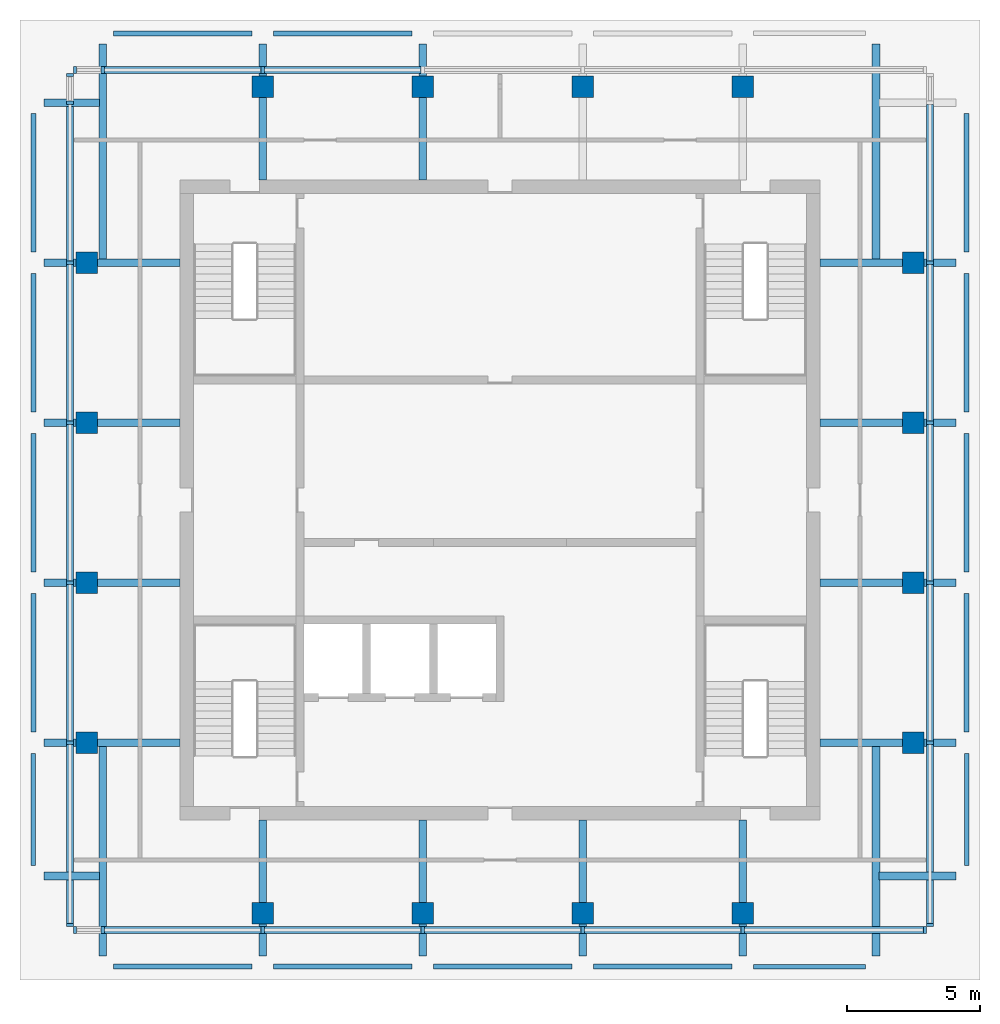
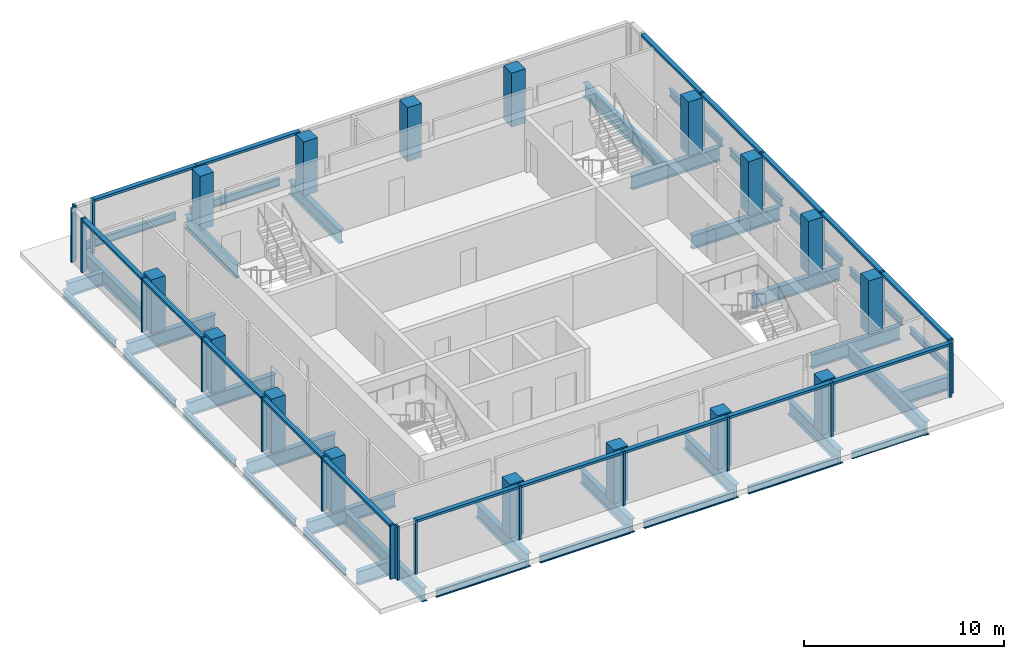
# One storey, part 1 of 5: 39 members, 38 beams, 16 columns, 4 elements without a shape of their own.
"""IFC4 building model written with IfcOpenShell, lengths in metres."""

from ifc_helpers import new_model, si_unit, direction, frame, origin, origin_2d, place, context, subcontext, project, spatial, rectangle, i_section, extrude, material, material_profile, profile_set, type_object, element, aggregate, save


model = new_model("IFC4")

# Units and contexts
model_context = context("Model", 3, precision=1e-05, world=origin(), true_north=direction((0.0, 1.0)))
body_context = subcontext(model_context, "Body", "Model", "MODEL_VIEW")
ifc_project = project(units=[si_unit("LENGTHUNIT", "METRE"), si_unit("AREAUNIT", "SQUARE_METRE"), si_unit("VOLUMEUNIT", "CUBIC_METRE"), si_unit("PLANEANGLEUNIT", "RADIAN"), si_unit("MASSUNIT", "GRAM", prefix="KILO")], contexts=[model_context])

# Site, building, storey
site_placement = place(None, origin())
site = spatial("IfcSite", under=ifc_project, at=site_placement, CompositionType="ELEMENT")
building_placement = place(site_placement, origin())
building = spatial("IfcBuilding", under=site, at=building_placement, Name="Amberfall Residences", CompositionType="ELEMENT")
storey_placement = place(building_placement, frame((0.0, 0.0, 294.39990234375)))
storey = spatial("IfcBuildingStorey", under=building, at=storey_placement, Name="L79 Crown", CompositionType="ELEMENT", Elevation=294.39990234375)

# Columns
ifc_material_1 = material(Name="Concrete C50", Category="concrete")
ifc_material_profile_1 = material_profile(ifc_material_1, rectangle(XDim=0.800048828125, YDim=0.800048828125, at=origin_2d()), Name="Column 800 x 800 C50")
ifc_profile_set_1 = profile_set([ifc_material_profile_1], Name="Concrete C50")
column_type = type_object("IfcColumnType", Name="Column 800 x 800 C50", PredefinedType="COLUMN", material=ifc_profile_set_1)
for number, where, z_axis, x_axis, name in (
    (1, (65.60009765625, 30.0, 0.0), (0.0, 0.0, 1.0), (1.0, 0.0, 0.0), "Column C5 L79 Crown S1"),
    (2, (71.60009765625, 30.0, 0.0), (0.0, 0.0, 1.0), (1.0, 0.0, 0.0), "Column C5 L79 Crown S2"),
    (3, (77.60009765625, 30.0, 0.0), (0.0, 0.0, 1.0), (1.0, 0.0, 0.0), "Column C5 L79 Crown S3"),
    (4, (83.60009765625, 30.0, 0.0), (0.0, 0.0, 1.0), (1.0, 0.0, 0.0), "Column C5 L79 Crown S4"),
    (5, (90.0, 36.39990234375, 0.0), (0.0, 0.0, 1.0), (1.0, 0.0, 0.0), "Column C5 L79 Crown E1"),
    (6, (90.0, 42.39990234375, 0.0), (0.0, 0.0, 1.0), (1.0, 0.0, 0.0), "Column C5 L79 Crown E2"),
    (7, (90.0, 48.39990234375, 0.0), (0.0, 0.0, 1.0), (1.0, 0.0, 0.0), "Column C5 L79 Crown E3"),
    (8, (90.0, 54.39990234375, 0.0), (0.0, 0.0, 1.0), (1.0, 0.0, 0.0), "Column C5 L79 Crown E4"),
    (9, (65.60009765625, 61.0, 0.0), (0.0, 0.0, 1.0), (1.0, 0.0, 0.0), "Column C5 L79 Crown N1"),
    (10, (71.60009765625, 61.0, 0.0), (0.0, 0.0, 1.0), (1.0, 0.0, 0.0), "Column C5 L79 Crown N2"),
    (11, (77.60009765625, 61.0, 0.0), (0.0, 0.0, 1.0), (1.0, 0.0, 0.0), "Column C5 L79 Crown N3"),
    (12, (83.60009765625, 61.0, 0.0), (0.0, 0.0, 1.0), (1.0, 0.0, 0.0), "Column C5 L79 Crown N4"),
    (13, (59.0, 36.39990234375, 0.0), (0.0, 0.0, 1.0), (1.0, 0.0, 0.0), "Column C5 L79 Crown W1"),
    (14, (59.0, 42.39990234375, 0.0), (0.0, 0.0, 1.0), (1.0, 0.0, 0.0), "Column C5 L79 Crown W2"),
    (15, (59.0, 48.39990234375, 0.0), (0.0, 0.0, 1.0), (1.0, 0.0, 0.0), "Column C5 L79 Crown W3"),
    (16, (59.0, 54.39990234375, 0.0), (0.0, 0.0, 1.0), (1.0, 0.0, 0.0), "Column C5 L79 Crown W4"),
):
    element("IfcColumn", number, at=place(storey_placement, frame(where, z_axis=z_axis, x_axis=x_axis)), inside=storey, type_object=column_type, Name=name, PredefinedType="COLUMN", context=body_context, shape_type="SweptSolid", body=[
        extrude(rectangle(XDim=0.800048828125, YDim=0.800048828125, at=origin_2d()), origin(), (0.0, 0.0, 1.0), 3.300048828125),
    ])

# Curtain wall, members
ifc_material_2 = material(Name="Bronze anodised aluminium and glass", Category="aluminium")
curtain_wall_type = type_object("IfcCurtainWallType", Name="Curtain wall CW6 crown louvre", PredefinedType="USERDEFINED", material=ifc_material_2)
curtain_wall_1_placement = place(storey_placement, origin())
curtain_wall_1 = element("IfcCurtainWall", 17, at=curtain_wall_1_placement, inside=storey, type_object=curtain_wall_type, Name="Curtain wall L79 Crown S S1", ObjectType="UNITISED CURTAIN WALL", PredefinedType="USERDEFINED")
ifc_material_3 = material(Name="Bronze anodised aluminium", Category="aluminium")
ifc_material_profile_2 = material_profile(ifc_material_3, rectangle(XDim=0.25, YDim=0.1201171875, at=origin_2d()), Name="CW6 mullion 120 x 250 bronze")
ifc_profile_set_2 = profile_set([ifc_material_profile_2], Name="Bronze anodised aluminium")
member_type_1 = type_object("IfcMemberType", Name="CW6 mullion 120 x 250 bronze", PredefinedType="MULLION", material=ifc_profile_set_2)
member_1_placement = place(storey_placement, frame((58.56005859375, 29.375, 0.0), z_axis=(0.0, 0.0, 1.0), x_axis=(0.0, 1.0, 0.0)))
member_1 = element("IfcMember", 18, at=member_1_placement, type_object=member_type_1, Name="CW6 mullion 1", PredefinedType="MULLION", context=body_context, shape_type="SweptSolid", body=[
    extrude(rectangle(XDim=0.25, YDim=0.1201171875, at=origin_2d()), origin(), (0.0, 0.0, 1.0), 3.300048828125),
])
member_2_placement = place(storey_placement, frame((59.60009765625, 29.375, 0.0), z_axis=(0.0, 0.0, 1.0), x_axis=(0.0, 1.0, 0.0)))
member_2 = element("IfcMember", 19, at=member_2_placement, type_object=member_type_1, Name="CW6 mullion 2", PredefinedType="MULLION", context=body_context, shape_type="SweptSolid", body=[
    extrude(rectangle(XDim=0.25, YDim=0.1201171875, at=origin_2d()), origin(), (0.0, 0.0, 1.0), 3.300048828125),
])
member_3_placement = place(storey_placement, frame((65.60009765625, 29.375, 0.0), z_axis=(0.0, 0.0, 1.0), x_axis=(0.0, 1.0, 0.0)))
member_3 = element("IfcMember", 20, at=member_3_placement, type_object=member_type_1, Name="CW6 mullion 3", PredefinedType="MULLION", context=body_context, shape_type="SweptSolid", body=[
    extrude(rectangle(XDim=0.25, YDim=0.1201171875, at=origin_2d()), origin(), (0.0, 0.0, 1.0), 3.300048828125),
])
member_4_placement = place(storey_placement, frame((71.60009765625, 29.375, 0.0), z_axis=(0.0, 0.0, 1.0), x_axis=(0.0, 1.0, 0.0)))
member_4 = element("IfcMember", 21, at=member_4_placement, type_object=member_type_1, Name="CW6 mullion 4", PredefinedType="MULLION", context=body_context, shape_type="SweptSolid", body=[
    extrude(rectangle(XDim=0.25, YDim=0.1201171875, at=origin_2d()), origin(), (0.0, 0.0, 1.0), 3.300048828125),
])
member_5_placement = place(storey_placement, frame((77.60009765625, 29.375, 0.0), z_axis=(0.0, 0.0, 1.0), x_axis=(0.0, 1.0, 0.0)))
member_5 = element("IfcMember", 22, at=member_5_placement, type_object=member_type_1, Name="CW6 mullion 5", PredefinedType="MULLION", context=body_context, shape_type="SweptSolid", body=[
    extrude(rectangle(XDim=0.25, YDim=0.1201171875, at=origin_2d()), origin(), (0.0, 0.0, 1.0), 3.300048828125),
])
member_6_placement = place(storey_placement, frame((83.60009765625, 29.375, 0.0), z_axis=(0.0, 0.0, 1.0), x_axis=(0.0, 1.0, 0.0)))
member_6 = element("IfcMember", 23, at=member_6_placement, type_object=member_type_1, Name="CW6 mullion 6", PredefinedType="MULLION", context=body_context, shape_type="SweptSolid", body=[
    extrude(rectangle(XDim=0.25, YDim=0.1201171875, at=origin_2d()), origin(), (0.0, 0.0, 1.0), 3.300048828125),
])
member_7_placement = place(storey_placement, frame((90.43994140625, 29.375, 0.0), z_axis=(0.0, 0.0, 1.0), x_axis=(0.0, 1.0, 0.0)))
member_7 = element("IfcMember", 24, at=member_7_placement, type_object=member_type_1, Name="CW6 mullion 7", PredefinedType="MULLION", context=body_context, shape_type="SweptSolid", body=[
    extrude(rectangle(XDim=0.25, YDim=0.1201171875, at=origin_2d()), origin(), (0.0, 0.0, 1.0), 3.300048828125),
])

curtain_wall_2_placement = place(storey_placement, origin())
curtain_wall_2 = element("IfcCurtainWall", 25, at=curtain_wall_2_placement, inside=storey, type_object=curtain_wall_type, Name="Curtain wall L79 Crown E E1", ObjectType="UNITISED CURTAIN WALL", PredefinedType="USERDEFINED")
member_8_placement = place(storey_placement, frame((90.625, 29.56005859375, 0.0), z_axis=(0.0, 0.0, 1.0), x_axis=(-1.0, 0.0, 0.0)))
member_8 = element("IfcMember", 26, at=member_8_placement, type_object=member_type_1, Name="CW6 mullion 1", PredefinedType="MULLION", context=body_context, shape_type="SweptSolid", body=[
    extrude(rectangle(XDim=0.25, YDim=0.1201171875, at=origin_2d()), origin(), (0.0, 0.0, 1.0), 3.300048828125),
])
member_9_placement = place(storey_placement, frame((90.625, 36.39990234375, 0.0), z_axis=(0.0, 0.0, 1.0), x_axis=(-1.0, 0.0, 0.0)))
member_9 = element("IfcMember", 27, at=member_9_placement, type_object=member_type_1, Name="CW6 mullion 2", PredefinedType="MULLION", context=body_context, shape_type="SweptSolid", body=[
    extrude(rectangle(XDim=0.25, YDim=0.1201171875, at=origin_2d()), origin(), (0.0, 0.0, 1.0), 3.300048828125),
])
member_10_placement = place(storey_placement, frame((90.625, 42.39990234375, 0.0), z_axis=(0.0, 0.0, 1.0), x_axis=(-1.0, 0.0, 0.0)))
member_10 = element("IfcMember", 28, at=member_10_placement, type_object=member_type_1, Name="CW6 mullion 3", PredefinedType="MULLION", context=body_context, shape_type="SweptSolid", body=[
    extrude(rectangle(XDim=0.25, YDim=0.1201171875, at=origin_2d()), origin(), (0.0, 0.0, 1.0), 3.300048828125),
])
member_11_placement = place(storey_placement, frame((90.625, 48.39990234375, 0.0), z_axis=(0.0, 0.0, 1.0), x_axis=(-1.0, 0.0, 0.0)))
member_11 = element("IfcMember", 29, at=member_11_placement, type_object=member_type_1, Name="CW6 mullion 4", PredefinedType="MULLION", context=body_context, shape_type="SweptSolid", body=[
    extrude(rectangle(XDim=0.25, YDim=0.1201171875, at=origin_2d()), origin(), (0.0, 0.0, 1.0), 3.300048828125),
])
member_12_placement = place(storey_placement, frame((90.625, 54.39990234375, 0.0), z_axis=(0.0, 0.0, 1.0), x_axis=(-1.0, 0.0, 0.0)))
member_12 = element("IfcMember", 30, at=member_12_placement, type_object=member_type_1, Name="CW6 mullion 5", PredefinedType="MULLION", context=body_context, shape_type="SweptSolid", body=[
    extrude(rectangle(XDim=0.25, YDim=0.1201171875, at=origin_2d()), origin(), (0.0, 0.0, 1.0), 3.300048828125),
])

curtain_wall_3_placement = place(storey_placement, origin())
curtain_wall_3 = element("IfcCurtainWall", 31, at=curtain_wall_3_placement, inside=storey, type_object=curtain_wall_type, Name="Curtain wall L79 Crown N N1", ObjectType="UNITISED CURTAIN WALL", PredefinedType="USERDEFINED")
member_13_placement = place(storey_placement, frame((65.60009765625, 61.625, 0.0), z_axis=(0.0, 0.0, 1.0), x_axis=(0.0, -1.0, 0.0)))
member_13 = element("IfcMember", 32, at=member_13_placement, type_object=member_type_1, Name="CW6 mullion 5", PredefinedType="MULLION", context=body_context, shape_type="SweptSolid", body=[
    extrude(rectangle(XDim=0.25, YDim=0.1201171875, at=origin_2d()), origin(), (0.0, 0.0, 1.0), 3.300048828125),
])
member_14_placement = place(storey_placement, frame((59.60009765625, 61.625, 0.0), z_axis=(0.0, 0.0, 1.0), x_axis=(0.0, -1.0, 0.0)))
member_14 = element("IfcMember", 33, at=member_14_placement, type_object=member_type_1, Name="CW6 mullion 6", PredefinedType="MULLION", context=body_context, shape_type="SweptSolid", body=[
    extrude(rectangle(XDim=0.25, YDim=0.1201171875, at=origin_2d()), origin(), (0.0, 0.0, 1.0), 3.300048828125),
])
member_15_placement = place(storey_placement, frame((58.56005859375, 61.625, 0.0), z_axis=(0.0, 0.0, 1.0), x_axis=(0.0, -1.0, 0.0)))
member_15 = element("IfcMember", 34, at=member_15_placement, type_object=member_type_1, Name="CW6 mullion 7", PredefinedType="MULLION", context=body_context, shape_type="SweptSolid", body=[
    extrude(rectangle(XDim=0.25, YDim=0.1201171875, at=origin_2d()), origin(), (0.0, 0.0, 1.0), 3.300048828125),
])

curtain_wall_4_placement = place(storey_placement, origin())
curtain_wall_4 = element("IfcCurtainWall", 35, at=curtain_wall_4_placement, inside=storey, type_object=curtain_wall_type, Name="Curtain wall L79 Crown W W1", ObjectType="UNITISED CURTAIN WALL", PredefinedType="USERDEFINED")
member_16_placement = place(storey_placement, frame((58.375, 61.43994140625, 0.0), z_axis=(0.0, 0.0, 1.0), x_axis=(1.0, 0.0, 0.0)))
member_16 = element("IfcMember", 36, at=member_16_placement, type_object=member_type_1, Name="CW6 mullion 1", PredefinedType="MULLION", context=body_context, shape_type="SweptSolid", body=[
    extrude(rectangle(XDim=0.25, YDim=0.1201171875, at=origin_2d()), origin(), (0.0, 0.0, 1.0), 3.300048828125),
])
member_17_placement = place(storey_placement, frame((58.375, 60.39990234375, 0.0), z_axis=(0.0, 0.0, 1.0), x_axis=(1.0, 0.0, 0.0)))
member_17 = element("IfcMember", 37, at=member_17_placement, type_object=member_type_1, Name="CW6 mullion 2", PredefinedType="MULLION", context=body_context, shape_type="SweptSolid", body=[
    extrude(rectangle(XDim=0.25, YDim=0.1201171875, at=origin_2d()), origin(), (0.0, 0.0, 1.0), 3.300048828125),
])
member_18_placement = place(storey_placement, frame((58.375, 54.39990234375, 0.0), z_axis=(0.0, 0.0, 1.0), x_axis=(1.0, 0.0, 0.0)))
member_18 = element("IfcMember", 38, at=member_18_placement, type_object=member_type_1, Name="CW6 mullion 3", PredefinedType="MULLION", context=body_context, shape_type="SweptSolid", body=[
    extrude(rectangle(XDim=0.25, YDim=0.1201171875, at=origin_2d()), origin(), (0.0, 0.0, 1.0), 3.300048828125),
])
member_19_placement = place(storey_placement, frame((58.375, 48.39990234375, 0.0), z_axis=(0.0, 0.0, 1.0), x_axis=(1.0, 0.0, 0.0)))
member_19 = element("IfcMember", 39, at=member_19_placement, type_object=member_type_1, Name="CW6 mullion 4", PredefinedType="MULLION", context=body_context, shape_type="SweptSolid", body=[
    extrude(rectangle(XDim=0.25, YDim=0.1201171875, at=origin_2d()), origin(), (0.0, 0.0, 1.0), 3.300048828125),
])
member_20_placement = place(storey_placement, frame((58.375, 42.39990234375, 0.0), z_axis=(0.0, 0.0, 1.0), x_axis=(1.0, 0.0, 0.0)))
member_20 = element("IfcMember", 40, at=member_20_placement, type_object=member_type_1, Name="CW6 mullion 5", PredefinedType="MULLION", context=body_context, shape_type="SweptSolid", body=[
    extrude(rectangle(XDim=0.25, YDim=0.1201171875, at=origin_2d()), origin(), (0.0, 0.0, 1.0), 3.300048828125),
])
member_21_placement = place(storey_placement, frame((58.375, 36.39990234375, 0.0), z_axis=(0.0, 0.0, 1.0), x_axis=(1.0, 0.0, 0.0)))
member_21 = element("IfcMember", 41, at=member_21_placement, type_object=member_type_1, Name="CW6 mullion 6", PredefinedType="MULLION", context=body_context, shape_type="SweptSolid", body=[
    extrude(rectangle(XDim=0.25, YDim=0.1201171875, at=origin_2d()), origin(), (0.0, 0.0, 1.0), 3.300048828125),
])
member_22_placement = place(storey_placement, frame((58.375, 29.56005859375, 0.0), z_axis=(0.0, 0.0, 1.0), x_axis=(1.0, 0.0, 0.0)))
member_22 = element("IfcMember", 42, at=member_22_placement, type_object=member_type_1, Name="CW6 mullion 7", PredefinedType="MULLION", context=body_context, shape_type="SweptSolid", body=[
    extrude(rectangle(XDim=0.25, YDim=0.1201171875, at=origin_2d()), origin(), (0.0, 0.0, 1.0), 3.300048828125),
])

# Member
ifc_material_profile_3 = material_profile(ifc_material_3, rectangle(XDim=0.25, YDim=0.14990234375, at=origin_2d()), Name="CW6 transom 250 x 150 bronze")
ifc_profile_set_3 = profile_set([ifc_material_profile_3], Name="Bronze anodised aluminium")
member_type_2 = type_object("IfcMemberType", Name="CW6 transom 250 x 150 bronze", PredefinedType="USERDEFINED", material=ifc_profile_set_3)
member_23_placement = place(storey_placement, frame((59.659912109375, 29.375, 3.22509765625), z_axis=(1.0, 0.0, 0.0), x_axis=(0.0, 1.0, 0.0)))
member_23 = element("IfcMember", 43, at=member_23_placement, type_object=member_type_2, Name="CW6 transom 2.1", ObjectType="TRANSOM", PredefinedType="USERDEFINED", context=body_context, shape_type="SweptSolid", body=[
    extrude(rectangle(XDim=0.25, YDim=0.14990234375, at=origin_2d()), origin(), (0.0, 0.0, 1.0), 5.880126953125),
])

member_24_placement = place(storey_placement, frame((65.659912109375, 29.375, 3.22509765625), z_axis=(1.0, 0.0, 0.0), x_axis=(0.0, 1.0, 0.0)))
member_24 = element("IfcMember", 44, at=member_24_placement, type_object=member_type_2, Name="CW6 transom 3.1", ObjectType="TRANSOM", PredefinedType="USERDEFINED", context=body_context, shape_type="SweptSolid", body=[
    extrude(rectangle(XDim=0.25, YDim=0.14990234375, at=origin_2d()), origin(), (0.0, 0.0, 1.0), 5.880126953125),
])

member_25_placement = place(storey_placement, frame((71.659912109375, 29.375, 3.22509765625), z_axis=(1.0, 0.0, 0.0), x_axis=(0.0, 1.0, 0.0)))
member_25 = element("IfcMember", 45, at=member_25_placement, type_object=member_type_2, Name="CW6 transom 4.1", ObjectType="TRANSOM", PredefinedType="USERDEFINED", context=body_context, shape_type="SweptSolid", body=[
    extrude(rectangle(XDim=0.25, YDim=0.14990234375, at=origin_2d()), origin(), (0.0, 0.0, 1.0), 5.880126953125),
])

member_26_placement = place(storey_placement, frame((77.659912109375, 29.375, 3.22509765625), z_axis=(1.0, 0.0, 0.0), x_axis=(0.0, 1.0, 0.0)))
member_26 = element("IfcMember", 46, at=member_26_placement, type_object=member_type_2, Name="CW6 transom 5.1", ObjectType="TRANSOM", PredefinedType="USERDEFINED", context=body_context, shape_type="SweptSolid", body=[
    extrude(rectangle(XDim=0.25, YDim=0.14990234375, at=origin_2d()), origin(), (0.0, 0.0, 1.0), 5.880126953125),
])

member_27_placement = place(storey_placement, frame((83.659912109375, 29.375, 3.22509765625), z_axis=(1.0, 0.0, 0.0), x_axis=(0.0, 1.0, 0.0)))
member_27 = element("IfcMember", 47, at=member_27_placement, type_object=member_type_2, Name="CW6 transom 6.1", ObjectType="TRANSOM", PredefinedType="USERDEFINED", context=body_context, shape_type="SweptSolid", body=[
    extrude(rectangle(XDim=0.25, YDim=0.14990234375, at=origin_2d()), origin(), (0.0, 0.0, 1.0), 6.719970703125),
])

aggregate(curtain_wall_1, [member_1, member_2, member_3, member_4, member_5, member_6, member_7, member_23, member_24, member_25, member_26, member_27])

member_28_placement = place(storey_placement, frame((90.625, 29.6201171875, 3.22509765625), z_axis=(0.0, 1.0, 0.0), x_axis=(-1.0, 0.0, 0.0)))
member_28 = element("IfcMember", 48, at=member_28_placement, type_object=member_type_2, Name="CW6 transom 1.1", ObjectType="TRANSOM", PredefinedType="USERDEFINED", context=body_context, shape_type="SweptSolid", body=[
    extrude(rectangle(XDim=0.25, YDim=0.14990234375, at=origin_2d()), origin(), (0.0, 0.0, 1.0), 6.719970703125),
])

member_29_placement = place(storey_placement, frame((90.625, 36.4599609375, 3.22509765625), z_axis=(0.0, 1.0, 0.0), x_axis=(-1.0, 0.0, 0.0)))
member_29 = element("IfcMember", 49, at=member_29_placement, type_object=member_type_2, Name="CW6 transom 2.1", ObjectType="TRANSOM", PredefinedType="USERDEFINED", context=body_context, shape_type="SweptSolid", body=[
    extrude(rectangle(XDim=0.25, YDim=0.14990234375, at=origin_2d()), origin(), (0.0, 0.0, 1.0), 5.880126953125),
])

member_30_placement = place(storey_placement, frame((90.625, 42.4599609375, 3.22509765625), z_axis=(0.0, 1.0, 0.0), x_axis=(-1.0, 0.0, 0.0)))
member_30 = element("IfcMember", 50, at=member_30_placement, type_object=member_type_2, Name="CW6 transom 3.1", ObjectType="TRANSOM", PredefinedType="USERDEFINED", context=body_context, shape_type="SweptSolid", body=[
    extrude(rectangle(XDim=0.25, YDim=0.14990234375, at=origin_2d()), origin(), (0.0, 0.0, 1.0), 5.880126953125),
])

member_31_placement = place(storey_placement, frame((90.625, 48.4599609375, 3.22509765625), z_axis=(0.0, 1.0, 0.0), x_axis=(-1.0, 0.0, 0.0)))
member_31 = element("IfcMember", 51, at=member_31_placement, type_object=member_type_2, Name="CW6 transom 4.1", ObjectType="TRANSOM", PredefinedType="USERDEFINED", context=body_context, shape_type="SweptSolid", body=[
    extrude(rectangle(XDim=0.25, YDim=0.14990234375, at=origin_2d()), origin(), (0.0, 0.0, 1.0), 5.880126953125),
])

member_32_placement = place(storey_placement, frame((90.625, 54.4599609375, 3.22509765625), z_axis=(0.0, 1.0, 0.0), x_axis=(-1.0, 0.0, 0.0)))
member_32 = element("IfcMember", 52, at=member_32_placement, type_object=member_type_2, Name="CW6 transom 5.1", ObjectType="TRANSOM", PredefinedType="USERDEFINED", context=body_context, shape_type="SweptSolid", body=[
    extrude(rectangle(XDim=0.25, YDim=0.14990234375, at=origin_2d()), origin(), (0.0, 0.0, 1.0), 5.880126953125),
])

aggregate(curtain_wall_2, [member_8, member_9, member_10, member_11, member_12, member_28, member_29, member_30, member_31, member_32])

member_33_placement = place(storey_placement, frame((71.5400390625, 61.625, 3.22509765625), z_axis=(-1.0, 0.0, 0.0), x_axis=(0.0, -1.0, 0.0)))
member_33 = element("IfcMember", 53, at=member_33_placement, type_object=member_type_2, Name="CW6 transom 4.1", ObjectType="TRANSOM", PredefinedType="USERDEFINED", context=body_context, shape_type="SweptSolid", body=[
    extrude(rectangle(XDim=0.25, YDim=0.14990234375, at=origin_2d()), origin(), (0.0, 0.0, 1.0), 5.880126953125),
])

member_34_placement = place(storey_placement, frame((65.5400390625, 61.625, 3.22509765625), z_axis=(-1.0, 0.0, 0.0), x_axis=(0.0, -1.0, 0.0)))
member_34 = element("IfcMember", 54, at=member_34_placement, type_object=member_type_2, Name="CW6 transom 5.1", ObjectType="TRANSOM", PredefinedType="USERDEFINED", context=body_context, shape_type="SweptSolid", body=[
    extrude(rectangle(XDim=0.25, YDim=0.14990234375, at=origin_2d()), origin(), (0.0, 0.0, 1.0), 5.880126953125),
])

aggregate(curtain_wall_3, [member_13, member_14, member_15, member_33, member_34])

member_35_placement = place(storey_placement, frame((58.375, 60.340087890625, 3.22509765625), z_axis=(0.0, -1.0, 0.0), x_axis=(1.0, 0.0, 0.0)))
member_35 = element("IfcMember", 55, at=member_35_placement, type_object=member_type_2, Name="CW6 transom 2.1", ObjectType="TRANSOM", PredefinedType="USERDEFINED", context=body_context, shape_type="SweptSolid", body=[
    extrude(rectangle(XDim=0.25, YDim=0.14990234375, at=origin_2d()), origin(), (0.0, 0.0, 1.0), 5.880126953125),
])

member_36_placement = place(storey_placement, frame((58.375, 54.340087890625, 3.22509765625), z_axis=(0.0, -1.0, 0.0), x_axis=(1.0, 0.0, 0.0)))
member_36 = element("IfcMember", 56, at=member_36_placement, type_object=member_type_2, Name="CW6 transom 3.1", ObjectType="TRANSOM", PredefinedType="USERDEFINED", context=body_context, shape_type="SweptSolid", body=[
    extrude(rectangle(XDim=0.25, YDim=0.14990234375, at=origin_2d()), origin(), (0.0, 0.0, 1.0), 5.880126953125),
])

member_37_placement = place(storey_placement, frame((58.375, 48.340087890625, 3.22509765625), z_axis=(0.0, -1.0, 0.0), x_axis=(1.0, 0.0, 0.0)))
member_37 = element("IfcMember", 57, at=member_37_placement, type_object=member_type_2, Name="CW6 transom 4.1", ObjectType="TRANSOM", PredefinedType="USERDEFINED", context=body_context, shape_type="SweptSolid", body=[
    extrude(rectangle(XDim=0.25, YDim=0.14990234375, at=origin_2d()), origin(), (0.0, 0.0, 1.0), 5.880126953125),
])

member_38_placement = place(storey_placement, frame((58.375, 42.340087890625, 3.22509765625), z_axis=(0.0, -1.0, 0.0), x_axis=(1.0, 0.0, 0.0)))
member_38 = element("IfcMember", 58, at=member_38_placement, type_object=member_type_2, Name="CW6 transom 5.1", ObjectType="TRANSOM", PredefinedType="USERDEFINED", context=body_context, shape_type="SweptSolid", body=[
    extrude(rectangle(XDim=0.25, YDim=0.14990234375, at=origin_2d()), origin(), (0.0, 0.0, 1.0), 5.880126953125),
])

member_39_placement = place(storey_placement, frame((58.375, 36.340087890625, 3.22509765625), z_axis=(0.0, -1.0, 0.0), x_axis=(1.0, 0.0, 0.0)))
member_39 = element("IfcMember", 59, at=member_39_placement, type_object=member_type_2, Name="CW6 transom 6.1", ObjectType="TRANSOM", PredefinedType="USERDEFINED", context=body_context, shape_type="SweptSolid", body=[
    extrude(rectangle(XDim=0.25, YDim=0.14990234375, at=origin_2d()), origin(), (0.0, 0.0, 1.0), 6.719970703125),
])

aggregate(curtain_wall_4, [member_16, member_17, member_18, member_19, member_20, member_21, member_22, member_35, member_36, member_37, member_38, member_39])

# Beams
ifc_material_4 = material(Name="Steel S355", Category="steel")
ifc_material_profile_4 = material_profile(ifc_material_4, i_section(OverallWidth=0.177734375, OverallDepth=0.402587890625, WebThickness=0.0078125, FlangeThickness=0.010986328125, FilletRadius=0.01025390625, at=origin_2d()), Name="UB 406x178x54")
ifc_profile_set_4 = profile_set([ifc_material_profile_4], Name="Steel S355")
beam_type_1 = type_object("IfcBeamType", Name="Edge beam UB 406x178x54", PredefinedType="SPANDREL", material=ifc_profile_set_4)
for number, where, z_axis, x_axis, name in (
    (60, (84.0, 28.0, -0.501220703125), (1.0, 0.0, 0.0), (0.0, 1.0, 0.0), "Edge beam B14 L79 Crown 05"),
    (61, (92.0, 31.800048828125, -0.501220703125), (0.0, 1.0, 0.0), (-1.0, 0.0, 0.0), "Edge beam B14 L79 Crown 12"),
    (62, (57.0, 31.800048828125, -0.501220703125), (0.0, 1.0, 0.0), (-1.0, 0.0, 0.0), "Edge beam B14 L79 Crown 34"),
):
    element("IfcBeam", number, at=place(storey_placement, frame(where, z_axis=z_axis, x_axis=x_axis)), inside=storey, type_object=beam_type_1, Name=name, PredefinedType="SPANDREL", context=body_context, shape_type="SweptSolid", body=[
        extrude(i_section(OverallWidth=0.177734375, OverallDepth=0.402587890625, WebThickness=0.0078125, FlangeThickness=0.010986328125, FilletRadius=0.01025390625, at=origin_2d()), origin(), (0.0, 0.0, 1.0), 4.199951171875),
    ])
ifc_material_profile_5 = material_profile(ifc_material_4, i_section(OverallWidth=0.18994140625, OverallDepth=0.453369140625, WebThickness=0.008544921875, FlangeThickness=0.0126953125, FilletRadius=0.01025390625, at=origin_2d()), Name="UB 457x191x67")
ifc_profile_set_5 = profile_set([ifc_material_profile_5], Name="Steel S355")
beam_type_2 = type_object("IfcBeamType", Name="Edge beam UB 457x191x67", PredefinedType="SPANDREL", material=ifc_profile_set_5)
for number, where, z_axis, x_axis, name in (
    (63, (60.0, 28.0, -0.526611328125), (1.0, 0.0, 0.0), (0.0, 1.0, 0.0), "Edge beam B1 L79 Crown 01"),
    (64, (66.0, 28.0, -0.526611328125), (1.0, 0.0, 0.0), (0.0, 1.0, 0.0), "Edge beam B1 L79 Crown 02"),
    (65, (72.0, 28.0, -0.526611328125), (1.0, 0.0, 0.0), (0.0, 1.0, 0.0), "Edge beam B1 L79 Crown 03"),
    (66, (78.0, 28.0, -0.526611328125), (1.0, 0.0, 0.0), (0.0, 1.0, 0.0), "Edge beam B1 L79 Crown 04"),
    (67, (92.0, 36.800048828125, -0.526611328125), (0.0, 1.0, 0.0), (-1.0, 0.0, 0.0), "Edge beam B1 L79 Crown 13"),
    (68, (92.0, 42.800048828125, -0.526611328125), (0.0, 1.0, 0.0), (-1.0, 0.0, 0.0), "Edge beam B1 L79 Crown 14"),
    (69, (92.0, 48.800048828125, -0.526611328125), (0.0, 1.0, 0.0), (-1.0, 0.0, 0.0), "Edge beam B1 L79 Crown 15"),
    (70, (92.0, 54.800048828125, -0.526611328125), (0.0, 1.0, 0.0), (-1.0, 0.0, 0.0), "Edge beam B1 L79 Crown 16"),
    (71, (60.0, 63.0, -0.526611328125), (1.0, 0.0, 0.0), (0.0, 1.0, 0.0), "Edge beam B1 L79 Crown 23"),
    (72, (66.0, 63.0, -0.526611328125), (1.0, 0.0, 0.0), (0.0, 1.0, 0.0), "Edge beam B1 L79 Crown 24"),
    (73, (57.0, 36.800048828125, -0.526611328125), (0.0, 1.0, 0.0), (-1.0, 0.0, 0.0), "Edge beam B1 L79 Crown 35"),
    (74, (57.0, 42.800048828125, -0.526611328125), (0.0, 1.0, 0.0), (-1.0, 0.0, 0.0), "Edge beam B1 L79 Crown 36"),
    (75, (57.0, 48.800048828125, -0.526611328125), (0.0, 1.0, 0.0), (-1.0, 0.0, 0.0), "Edge beam B1 L79 Crown 37"),
    (76, (57.0, 54.800048828125, -0.526611328125), (0.0, 1.0, 0.0), (-1.0, 0.0, 0.0), "Edge beam B1 L79 Crown 38"),
):
    element("IfcBeam", number, at=place(storey_placement, frame(where, z_axis=z_axis, x_axis=x_axis)), inside=storey, type_object=beam_type_2, Name=name, PredefinedType="SPANDREL", context=body_context, shape_type="SweptSolid", body=[
        extrude(i_section(OverallWidth=0.18994140625, OverallDepth=0.453369140625, WebThickness=0.008544921875, FlangeThickness=0.0126953125, FilletRadius=0.01025390625, at=origin_2d()), origin(), (0.0, 0.0, 1.0), 5.199951171875),
    ])
ifc_material_profile_6 = material_profile(ifc_material_4, i_section(OverallWidth=0.29150390625, OverallDepth=0.8349609375, WebThickness=0.013916015625, FlangeThickness=0.018798828125, FilletRadius=0.017822265625, at=origin_2d()), Name="UB 838x292x176")
ifc_profile_set_6 = profile_set([ifc_material_profile_6], Name="Steel S355")
beam_type_3 = type_object("IfcBeamType", Name="Transfer girder UB 838x292x176", PredefinedType="BEAM", material=ifc_profile_set_6)
beam_1_placement = place(storey_placement, frame((59.60009765625, 28.39990234375, -0.720458984375), z_axis=(0.0, 1.0, 0.0), x_axis=(-1.0, 0.0, 0.0)))
element("IfcBeam", 77, at=beam_1_placement, inside=storey, type_object=beam_type_3, Name="Transfer girder B6 L79 Crown 06", PredefinedType="BEAM", context=body_context, shape_type="SweptSolid", body=[
    extrude(i_section(OverallWidth=0.29150390625, OverallDepth=0.8349609375, WebThickness=0.013916015625, FlangeThickness=0.018798828125, FilletRadius=0.017822265625, at=origin_2d()), origin(), (0.0, 0.0, 1.0), 7.859375),
])
for number, where, z_axis, x_axis, name in (
    (78, (65.60009765625, 28.39990234375, -0.71728515625), (0.0, 1.0, 0.0), (-1.0, 0.0, 0.0), "Transfer girder B6 L79 Crown 07"),
    (79, (71.60009765625, 28.39990234375, -0.71728515625), (0.0, 1.0, 0.0), (-1.0, 0.0, 0.0), "Transfer girder B6 L79 Crown 08"),
    (80, (77.60009765625, 28.39990234375, -0.71728515625), (0.0, 1.0, 0.0), (-1.0, 0.0, 0.0), "Transfer girder B6 L79 Crown 09"),
    (81, (83.60009765625, 28.39990234375, -0.71728515625), (0.0, 1.0, 0.0), (-1.0, 0.0, 0.0), "Transfer girder B6 L79 Crown 10"),
):
    element("IfcBeam", number, at=place(storey_placement, frame(where, z_axis=z_axis, x_axis=x_axis)), inside=storey, type_object=beam_type_3, Name=name, PredefinedType="BEAM", context=body_context, shape_type="SweptSolid", body=[
        extrude(i_section(OverallWidth=0.29150390625, OverallDepth=0.8349609375, WebThickness=0.013916015625, FlangeThickness=0.018798828125, FilletRadius=0.017822265625, at=origin_2d()), origin(), (0.0, 0.0, 1.0), 5.10009765625),
    ])
beam_2_placement = place(storey_placement, frame((88.60009765625, 28.39990234375, -0.720458984375), z_axis=(0.0, 1.0, 0.0), x_axis=(-1.0, 0.0, 0.0)))
element("IfcBeam", 82, at=beam_2_placement, inside=storey, type_object=beam_type_3, Name="Transfer girder B6 L79 Crown 11", PredefinedType="BEAM", context=body_context, shape_type="SweptSolid", body=[
    extrude(i_section(OverallWidth=0.29150390625, OverallDepth=0.8349609375, WebThickness=0.013916015625, FlangeThickness=0.018798828125, FilletRadius=0.017822265625, at=origin_2d()), origin(), (0.0, 0.0, 1.0), 7.859375),
])
beam_3_placement = place(storey_placement, frame((91.60009765625, 31.39990234375, -0.71728515625), z_axis=(-1.0, 0.0, 0.0), x_axis=(0.0, -1.0, 0.0)))
element("IfcBeam", 83, at=beam_3_placement, inside=storey, type_object=beam_type_3, Name="Transfer girder B6 L79 Crown 17", PredefinedType="BEAM", context=body_context, shape_type="SweptSolid", body=[
    extrude(i_section(OverallWidth=0.29150390625, OverallDepth=0.8349609375, WebThickness=0.013916015625, FlangeThickness=0.018798828125, FilletRadius=0.017822265625, at=origin_2d()), origin(), (0.0, 0.0, 1.0), 2.880126953125),
])
for number, where, z_axis, x_axis, name in (
    (84, (91.60009765625, 36.39990234375, -0.723388671875), (-1.0, 0.0, 0.0), (0.0, -1.0, 0.0), "Transfer girder B6 L79 Crown 18"),
    (85, (91.60009765625, 42.39990234375, -0.71728515625), (-1.0, 0.0, 0.0), (0.0, -1.0, 0.0), "Transfer girder B6 L79 Crown 19"),
    (86, (91.60009765625, 48.39990234375, -0.71728515625), (-1.0, 0.0, 0.0), (0.0, -1.0, 0.0), "Transfer girder B6 L79 Crown 20"),
    (87, (91.60009765625, 54.39990234375, -0.723388671875), (-1.0, 0.0, 0.0), (0.0, -1.0, 0.0), "Transfer girder B6 L79 Crown 21"),
):
    element("IfcBeam", number, at=place(storey_placement, frame(where, z_axis=z_axis, x_axis=x_axis)), inside=storey, type_object=beam_type_3, Name=name, PredefinedType="BEAM", context=body_context, shape_type="SweptSolid", body=[
        extrude(i_section(OverallWidth=0.29150390625, OverallDepth=0.8349609375, WebThickness=0.013916015625, FlangeThickness=0.018798828125, FilletRadius=0.017822265625, at=origin_2d()), origin(), (0.0, 0.0, 1.0), 5.10009765625),
    ])
beam_4_placement = place(storey_placement, frame((59.60009765625, 62.60009765625, -0.720458984375), z_axis=(0.0, -1.0, 0.0), x_axis=(1.0, 0.0, 0.0)))
element("IfcBeam", 88, at=beam_4_placement, inside=storey, type_object=beam_type_3, Name="Transfer girder B6 L79 Crown 28", PredefinedType="BEAM", context=body_context, shape_type="SweptSolid", body=[
    extrude(i_section(OverallWidth=0.29150390625, OverallDepth=0.8349609375, WebThickness=0.013916015625, FlangeThickness=0.018798828125, FilletRadius=0.017822265625, at=origin_2d()), origin(), (0.0, 0.0, 1.0), 8.059326171875),
])
for number, where, z_axis, x_axis, name in (
    (89, (65.60009765625, 62.60009765625, -0.71728515625), (0.0, -1.0, 0.0), (1.0, 0.0, 0.0), "Transfer girder B6 L79 Crown 29"),
    (90, (71.60009765625, 62.60009765625, -0.71728515625), (0.0, -1.0, 0.0), (1.0, 0.0, 0.0), "Transfer girder B6 L79 Crown 30"),
):
    element("IfcBeam", number, at=place(storey_placement, frame(where, z_axis=z_axis, x_axis=x_axis)), inside=storey, type_object=beam_type_3, Name=name, PredefinedType="BEAM", context=body_context, shape_type="SweptSolid", body=[
        extrude(i_section(OverallWidth=0.29150390625, OverallDepth=0.8349609375, WebThickness=0.013916015625, FlangeThickness=0.018798828125, FilletRadius=0.017822265625, at=origin_2d()), origin(), (0.0, 0.0, 1.0), 5.10009765625),
    ])
beam_5_placement = place(storey_placement, frame((88.60009765625, 62.60009765625, -0.720458984375), z_axis=(0.0, -1.0, 0.0), x_axis=(1.0, 0.0, 0.0)))
element("IfcBeam", 91, at=beam_5_placement, inside=storey, type_object=beam_type_3, Name="Transfer girder B6 L79 Crown 33", PredefinedType="BEAM", context=body_context, shape_type="SweptSolid", body=[
    extrude(i_section(OverallWidth=0.29150390625, OverallDepth=0.8349609375, WebThickness=0.013916015625, FlangeThickness=0.018798828125, FilletRadius=0.017822265625, at=origin_2d()), origin(), (0.0, 0.0, 1.0), 8.059326171875),
])
beam_6_placement = place(storey_placement, frame((57.39990234375, 31.39990234375, -0.71728515625), z_axis=(1.0, 0.0, 0.0), x_axis=(0.0, 1.0, 0.0)))
element("IfcBeam", 92, at=beam_6_placement, inside=storey, type_object=beam_type_3, Name="Transfer girder B6 L79 Crown 39", PredefinedType="BEAM", context=body_context, shape_type="SweptSolid", body=[
    extrude(i_section(OverallWidth=0.29150390625, OverallDepth=0.8349609375, WebThickness=0.013916015625, FlangeThickness=0.018798828125, FilletRadius=0.017822265625, at=origin_2d()), origin(), (0.0, 0.0, 1.0), 2.080078125),
])
for number, where, z_axis, x_axis, name in (
    (93, (57.39990234375, 36.39990234375, -0.723388671875), (1.0, 0.0, 0.0), (0.0, 1.0, 0.0), "Transfer girder B6 L79 Crown 40"),
    (94, (57.39990234375, 42.39990234375, -0.71728515625), (1.0, 0.0, 0.0), (0.0, 1.0, 0.0), "Transfer girder B6 L79 Crown 41"),
    (95, (57.39990234375, 48.39990234375, -0.71728515625), (1.0, 0.0, 0.0), (0.0, 1.0, 0.0), "Transfer girder B6 L79 Crown 42"),
    (96, (57.39990234375, 54.39990234375, -0.723388671875), (1.0, 0.0, 0.0), (0.0, 1.0, 0.0), "Transfer girder B6 L79 Crown 43"),
):
    element("IfcBeam", number, at=place(storey_placement, frame(where, z_axis=z_axis, x_axis=x_axis)), inside=storey, type_object=beam_type_3, Name=name, PredefinedType="BEAM", context=body_context, shape_type="SweptSolid", body=[
        extrude(i_section(OverallWidth=0.29150390625, OverallDepth=0.8349609375, WebThickness=0.013916015625, FlangeThickness=0.018798828125, FilletRadius=0.017822265625, at=origin_2d()), origin(), (0.0, 0.0, 1.0), 5.10009765625),
    ])
beam_7_placement = place(storey_placement, frame((57.39990234375, 60.39990234375, -0.71728515625), z_axis=(1.0, 0.0, 0.0), x_axis=(0.0, 1.0, 0.0)))
element("IfcBeam", 97, at=beam_7_placement, inside=storey, type_object=beam_type_3, Name="Transfer girder B6 L79 Crown 44", PredefinedType="BEAM", context=body_context, shape_type="SweptSolid", body=[
    extrude(i_section(OverallWidth=0.29150390625, OverallDepth=0.8349609375, WebThickness=0.013916015625, FlangeThickness=0.018798828125, FilletRadius=0.017822265625, at=origin_2d()), origin(), (0.0, 0.0, 1.0), 2.080078125),
])

save(model, "model.ifc")
